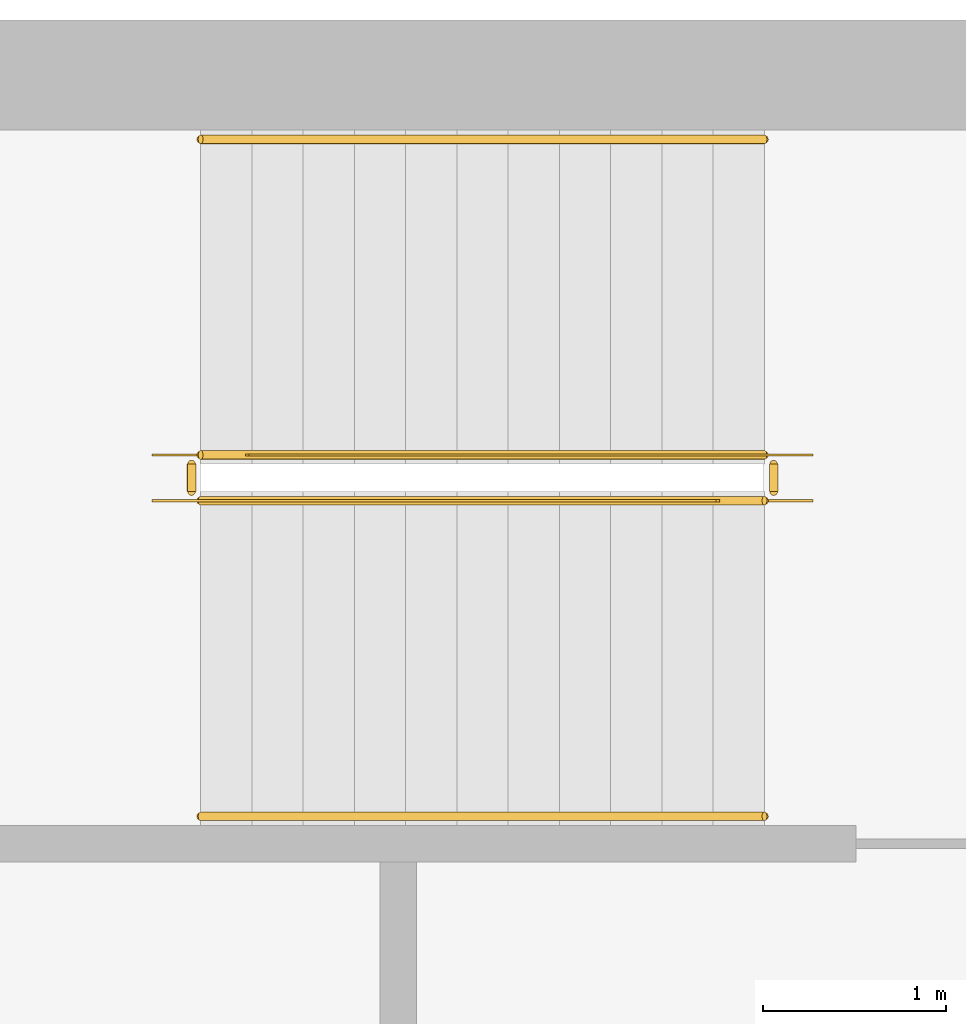
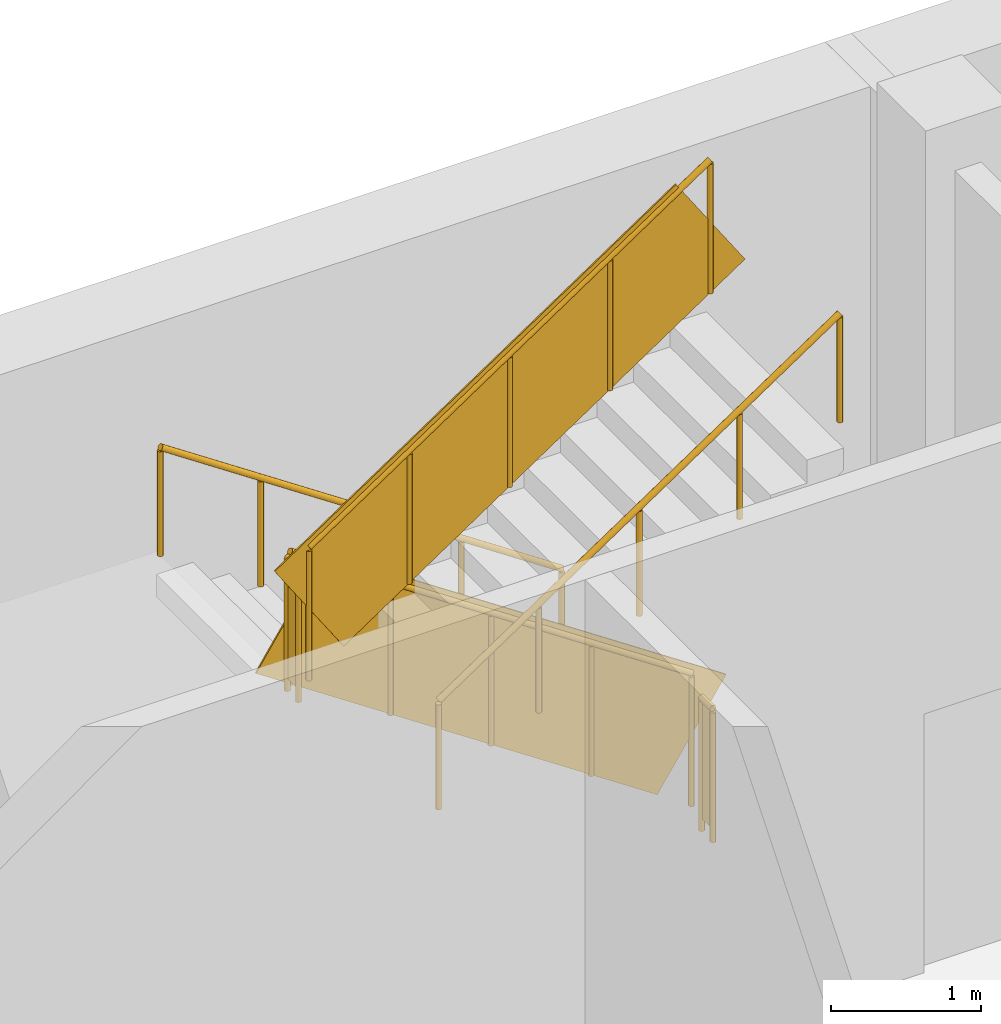
# One storey, part 11 of 11: 6 railings.
"""IFC4 building model written with IfcOpenShell, lengths in metres."""

from ifc_helpers import new_model, si_unit, direction, frame, origin, origin_2d, place, context, subcontext, project, spatial, rectangle, circle, extrude, material, type_object, element, save


model = new_model("IFC4")

# Units and contexts
model_context = context("Model", 3, precision=1e-05, world=origin(), true_north=direction((0.0, 1.0)))
body_context = subcontext(model_context, "Body", "Model", "MODEL_VIEW")
ifc_project = project(units=[si_unit("LENGTHUNIT", "METRE"), si_unit("AREAUNIT", "SQUARE_METRE"), si_unit("VOLUMEUNIT", "CUBIC_METRE"), si_unit("PLANEANGLEUNIT", "RADIAN"), si_unit("MASSUNIT", "GRAM", prefix="KILO")], contexts=[model_context])

# Site, building, storey
site_placement = place(None, origin())
site = spatial("IfcSite", under=ifc_project, at=site_placement, CompositionType="ELEMENT")
building_placement = place(site_placement, origin())
building = spatial("IfcBuilding", under=site, at=building_placement, Name="Dilmun Exchange Tower", CompositionType="ELEMENT")
storey_placement = place(building_placement, frame((0.0, 0.0, -4.5)))
storey = spatial("IfcBuildingStorey", under=building, at=storey_placement, Name="B1", CompositionType="ELEMENT", Elevation=-4.5)

# Railings
ifc_material_1 = material(Name="Guard 1100")
railing_type_1 = type_object("IfcRailingType", Name="Guard 1100", PredefinedType="GUARDRAIL", material=ifc_material_1)
railing_1_placement = place(storey_placement, frame((24.5, 33.6240234375, 0.1875)))
element("IfcRailing", 1, at=railing_1_placement, inside=storey, type_object=railing_type_1, Name="B1 PS2 stair guard 1", PredefinedType="GUARDRAIL", context=body_context, shape_type="SweptSolid", body=[
    extrude(circle(Radius=0.02392578125, at=origin_2d()), frame((0.0, 0.0, 1.076171875), z_axis=(-0.830913701846, 0.0, 0.55640131208), x_axis=(0.0, -1.0, 0.0)), (0.0, 0.0, 1.0), 3.706787109375),
    extrude(rectangle(XDim=0.011962890625, YDim=0.951904296875, at=origin_2d()), frame((0.0, 0.0, 0.576171875), z_axis=(-0.830913701846, 0.0, 0.55640131208), x_axis=(0.0, -1.0, 0.0)), (0.0, 0.0, 1.0), 3.706787109375),
    extrude(circle(Radius=0.02099609375, at=origin_2d()), origin(), (0.0, 0.0, 1.0), 1.052001953125),
    extrude(circle(Radius=0.02099609375, at=origin_2d()), frame((-0.77001953125, 0.0, 0.515625)), (0.0, 0.0, 1.0), 1.052001953125),
    extrude(circle(Radius=0.02099609375, at=origin_2d()), frame((-1.5400390625, 0.0, 1.03125)), (0.0, 0.0, 1.0), 1.052001953125),
    extrude(circle(Radius=0.02099609375, at=origin_2d()), frame((-2.31005859375, 0.0, 1.546875)), (0.0, 0.0, 1.0), 1.052001953125),
    extrude(circle(Radius=0.02099609375, at=origin_2d()), frame((-3.080078125, 0.0, 2.0625)), (0.0, 0.0, 1.0), 1.052001953125),
])
railing_2_placement = place(storey_placement, frame((21.3701171875, 33.573974609375, 2.25)))
element("IfcRailing", 2, at=railing_2_placement, inside=storey, type_object=railing_type_1, Name="B1 PS2 stair guard 2", PredefinedType="GUARDRAIL", context=body_context, shape_type="SweptSolid", body=[
    extrude(circle(Radius=0.02392578125, at=origin_2d()), frame((0.0, 0.0, 1.076171875), z_axis=(0.0, -1.0, 0.0), x_axis=(1.0, 0.0, 0.0)), (0.0, 0.0, 1.0), 0.14990234375),
    extrude(rectangle(XDim=0.011962890625, YDim=0.951904296875, at=origin_2d()), frame((0.0, 0.0, 0.576171875), z_axis=(0.0, -1.0, 0.0), x_axis=(1.0, 0.0, 0.0)), (0.0, 0.0, 1.0), 0.14990234375),
    extrude(circle(Radius=0.02099609375, at=origin_2d()), origin(), (0.0, 0.0, 1.0), 1.052001953125),
    extrude(circle(Radius=0.02099609375, at=origin_2d()), frame((0.0, -0.14990234375, 0.0)), (0.0, 0.0, 1.0), 1.052001953125),
])
railing_3_placement = place(storey_placement, frame((21.419921875, 33.3740234375, 2.4375)))
element("IfcRailing", 3, at=railing_3_placement, inside=storey, type_object=railing_type_1, Name="B1 PS2 stair guard 3", PredefinedType="GUARDRAIL", context=body_context, shape_type="SweptSolid", body=[
    extrude(circle(Radius=0.02392578125, at=origin_2d()), frame((0.0, 0.0, 1.076171875), z_axis=(0.830913701846, 0.0, 0.55640131208), x_axis=(0.0, 1.0, 0.0)), (0.0, 0.0, 1.0), 3.706787109375),
    extrude(rectangle(XDim=0.011962890625, YDim=0.951904296875, at=origin_2d()), frame((0.0, 0.0, 0.576171875), z_axis=(0.830913701846, 0.0, 0.55640131208), x_axis=(0.0, 1.0, 0.0)), (0.0, 0.0, 1.0), 3.706787109375),
    extrude(circle(Radius=0.02099609375, at=origin_2d()), origin(), (0.0, 0.0, 1.0), 1.052001953125),
    extrude(circle(Radius=0.02099609375, at=origin_2d()), frame((0.77001953125, 0.0, 0.515625)), (0.0, 0.0, 1.0), 1.052001953125),
    extrude(circle(Radius=0.02099609375, at=origin_2d()), frame((1.5400390625, 0.0, 1.03125)), (0.0, 0.0, 1.0), 1.052001953125),
    extrude(circle(Radius=0.02099609375, at=origin_2d()), frame((2.31005859375, 0.0, 1.546875)), (0.0, 0.0, 1.0), 1.052001953125),
    extrude(circle(Radius=0.02099609375, at=origin_2d()), frame((3.080078125, 0.0, 2.0625)), (0.0, 0.0, 1.0), 1.052001953125),
])
railing_4_placement = place(storey_placement, frame((24.550048828125, 33.573974609375, 0.0)))
element("IfcRailing", 4, at=railing_4_placement, inside=storey, type_object=railing_type_1, Name="B1 PS2 stair guard 4", PredefinedType="GUARDRAIL", context=body_context, shape_type="SweptSolid", body=[
    extrude(circle(Radius=0.02392578125, at=origin_2d()), frame((0.0, 0.0, 1.076171875), z_axis=(0.0, -1.0, 0.0), x_axis=(1.0, 0.0, 0.0)), (0.0, 0.0, 1.0), 0.14990234375),
    extrude(rectangle(XDim=0.011962890625, YDim=0.951904296875, at=origin_2d()), frame((0.0, 0.0, 0.576171875), z_axis=(0.0, -1.0, 0.0), x_axis=(1.0, 0.0, 0.0)), (0.0, 0.0, 1.0), 0.14990234375),
    extrude(circle(Radius=0.02099609375, at=origin_2d()), origin(), (0.0, 0.0, 1.0), 1.052001953125),
    extrude(circle(Radius=0.02099609375, at=origin_2d()), frame((0.0, -0.14990234375, 0.0)), (0.0, 0.0, 1.0), 1.052001953125),
])
ifc_material_2 = material(Name="Handrail 900")
railing_type_2 = type_object("IfcRailingType", Name="Handrail 900", PredefinedType="HANDRAIL", material=ifc_material_2)
railing_5_placement = place(storey_placement, frame((24.5, 35.347900390625, 0.1875)))
element("IfcRailing", 5, at=railing_5_placement, inside=storey, type_object=railing_type_2, Name="B1 PS2 stair handrail 1", PredefinedType="HANDRAIL", context=body_context, shape_type="SweptSolid", body=[
    extrude(circle(Radius=0.02392578125, at=origin_2d()), frame((0.0, 0.0, 0.8759765625), z_axis=(-0.830913701846, 0.0, 0.55640131208), x_axis=(0.0, -1.0, 0.0)), (0.0, 0.0, 1.0), 3.706787109375),
    extrude(circle(Radius=0.02099609375, at=origin_2d()), origin(), (0.0, 0.0, 1.0), 0.851806640625),
    extrude(circle(Radius=0.02099609375, at=origin_2d()), frame((-0.77001953125, 0.0, 0.515625)), (0.0, 0.0, 1.0), 0.851806640625),
    extrude(circle(Radius=0.02099609375, at=origin_2d()), frame((-1.5400390625, 0.0, 1.03125)), (0.0, 0.0, 1.0), 0.851806640625),
    extrude(circle(Radius=0.02099609375, at=origin_2d()), frame((-2.31005859375, 0.0, 1.546875)), (0.0, 0.0, 1.0), 0.851806640625),
    extrude(circle(Radius=0.02099609375, at=origin_2d()), frame((-3.080078125, 0.0, 2.0625)), (0.0, 0.0, 1.0), 0.851806640625),
])
railing_6_placement = place(storey_placement, frame((21.419921875, 31.64990234375, 2.4375)))
element("IfcRailing", 6, at=railing_6_placement, inside=storey, type_object=railing_type_2, Name="B1 PS2 stair handrail 2", PredefinedType="HANDRAIL", context=body_context, shape_type="SweptSolid", body=[
    extrude(circle(Radius=0.02392578125, at=origin_2d()), frame((0.0, 0.0, 0.8759765625), z_axis=(0.830913701846, 0.0, 0.55640131208), x_axis=(0.0, 1.0, 0.0)), (0.0, 0.0, 1.0), 3.706787109375),
    extrude(circle(Radius=0.02099609375, at=origin_2d()), origin(), (0.0, 0.0, 1.0), 0.851806640625),
    extrude(circle(Radius=0.02099609375, at=origin_2d()), frame((0.77001953125, 0.0, 0.515625)), (0.0, 0.0, 1.0), 0.851806640625),
    extrude(circle(Radius=0.02099609375, at=origin_2d()), frame((1.5400390625, 0.0, 1.03125)), (0.0, 0.0, 1.0), 0.851806640625),
    extrude(circle(Radius=0.02099609375, at=origin_2d()), frame((2.31005859375, 0.0, 1.546875)), (0.0, 0.0, 1.0), 0.851806640625),
    extrude(circle(Radius=0.02099609375, at=origin_2d()), frame((3.080078125, 0.0, 2.0625)), (0.0, 0.0, 1.0), 0.851806640625),
])

save(model, "model.ifc")
